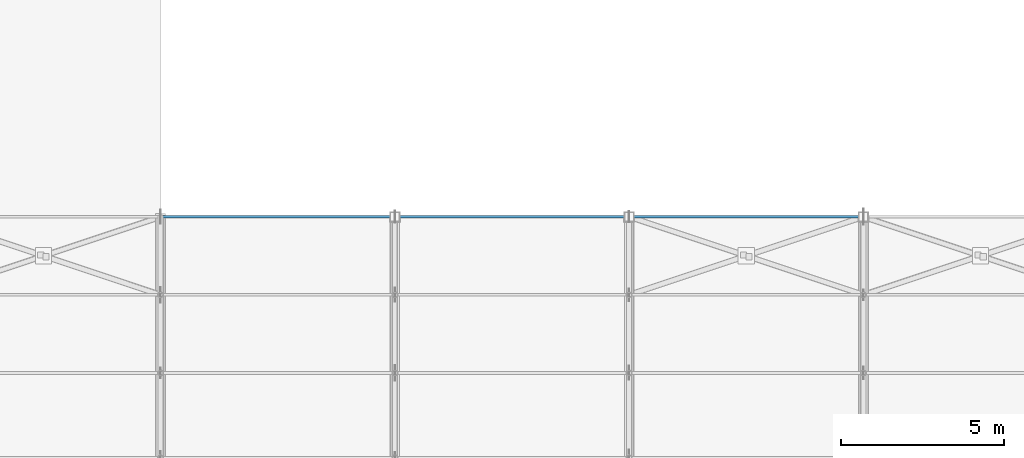
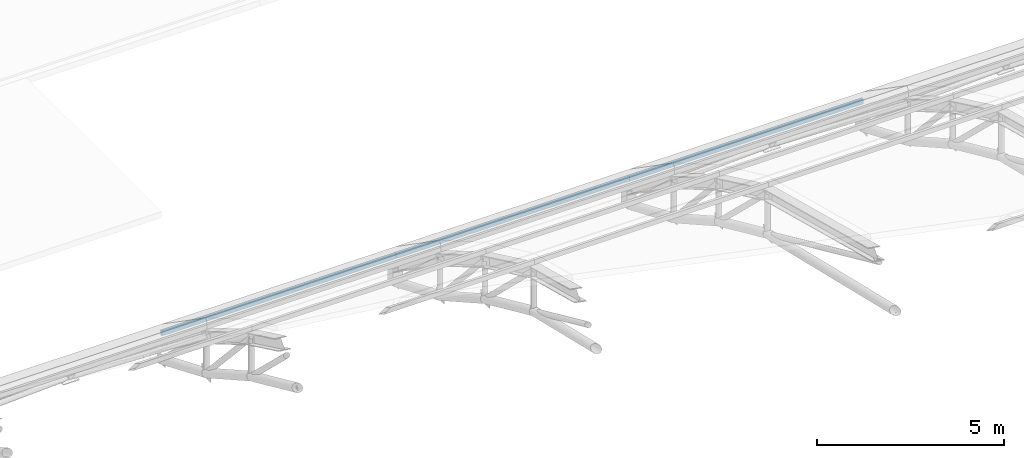
# One storey, part 30 of 63: 3 members.
"""IFC4 building model written with IfcOpenShell, lengths in metres."""

from ifc_helpers import new_model, si_unit, direction, frame, origin, origin_2d, place, context, subcontext, project, spatial, hollow_rectangle, extrude, material, material_profile, profile_set, type_object, element, save


model = new_model("IFC4")

# Units and contexts
model_context = context("Model", 3, precision=1e-05, world=origin(), true_north=direction((0.0, 1.0)))
body_context = subcontext(model_context, "Body", "Model", "MODEL_VIEW")
ifc_project = project(units=[si_unit("LENGTHUNIT", "METRE"), si_unit("AREAUNIT", "SQUARE_METRE"), si_unit("VOLUMEUNIT", "CUBIC_METRE"), si_unit("PLANEANGLEUNIT", "RADIAN"), si_unit("MASSUNIT", "GRAM", prefix="KILO")], contexts=[model_context])

# Site, building, storey
site_placement = place(None, origin())
site = spatial("IfcSite", under=ifc_project, at=site_placement, CompositionType="ELEMENT")
building_placement = place(site_placement, origin())
building = spatial("IfcBuilding", under=site, at=building_placement, Name="Solvadek Multi-Sports Hall", CompositionType="ELEMENT")
storey_placement = place(building_placement, frame((0.0, 0.0, 19.199951171875)))
storey = spatial("IfcBuildingStorey", under=building, at=storey_placement, Name="RF", CompositionType="ELEMENT", Elevation=19.199951171875)

# Members
ifc_material = material(Name="Steel E250 (250 MPa)", Category="steel")
ifc_material_profile = material_profile(ifc_material, hollow_rectangle(XDim=0.080078125, YDim=0.159912109375, WallThickness=0.006103515625, at=origin_2d()), Name="RHS 160x80x6")
ifc_profile_set = profile_set([ifc_material_profile], Name="Steel E250 (250 MPa)")
member_type = type_object("IfcMemberType", Name="STR-PUR-RHS160", PredefinedType="PURLIN", material=ifc_profile_set)
for number, where, z_axis, x_axis, name in (
    (1, (28.800048828125, 78.0, -3.94677734375), (1.0, 0.0, 0.0), (0.0, 1.0, 0.0), "V4 Roof Purlin #81"),
    (2, (36.0, 78.0, -3.94677734375), (1.0, 0.0, 0.0), (0.0, 1.0, 0.0), "V4 Roof Purlin #90"),
    (3, (43.199951171875, 78.0, -3.94677734375), (1.0, 0.0, 0.0), (0.0, 1.0, 0.0), "V4 Roof Purlin #99"),
):
    element("IfcMember", number, at=place(storey_placement, frame(where, z_axis=z_axis, x_axis=x_axis)), inside=storey, type_object=member_type, Name=name, PredefinedType="PURLIN", context=body_context, shape_type="SweptSolid", body=[
        extrude(hollow_rectangle(XDim=0.080078125, YDim=0.159912109375, WallThickness=0.006103515625, at=origin_2d()), origin(), (0.0, 0.0, 1.0), 7.199951171875),
    ])

save(model, "model.ifc")
